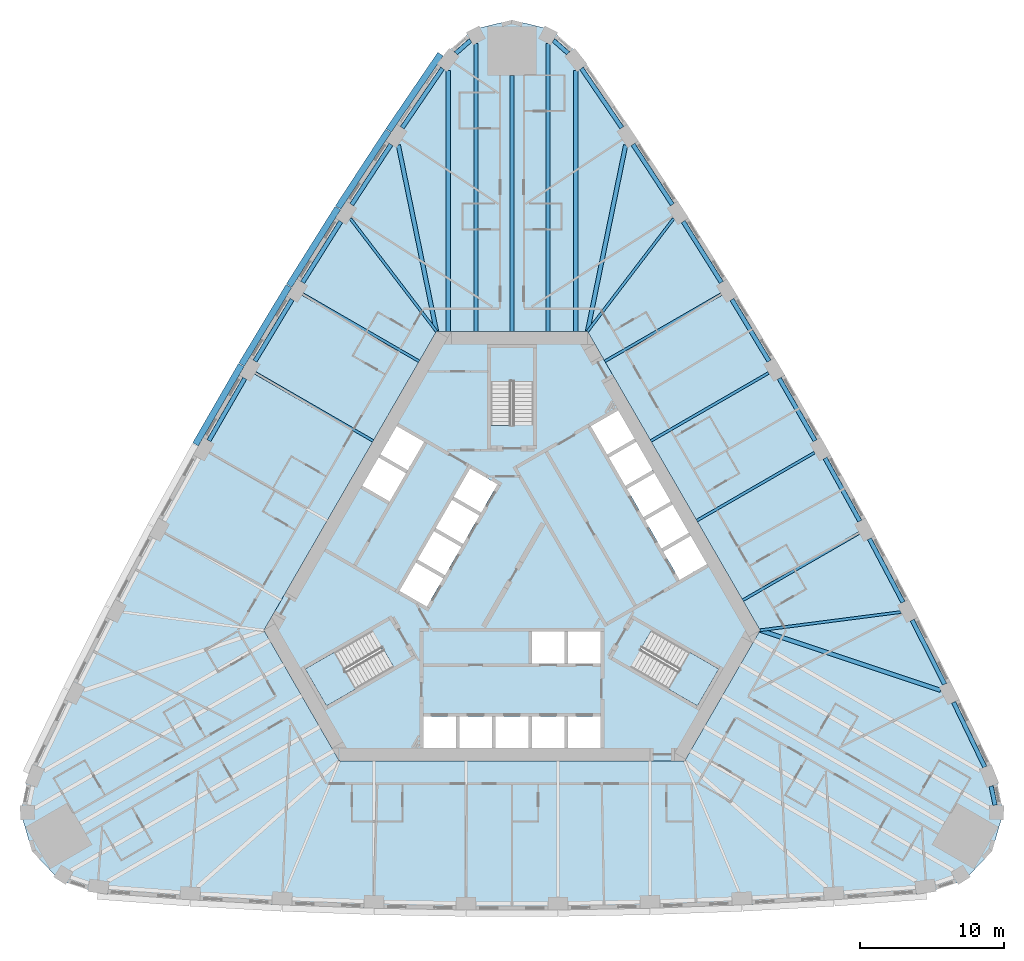
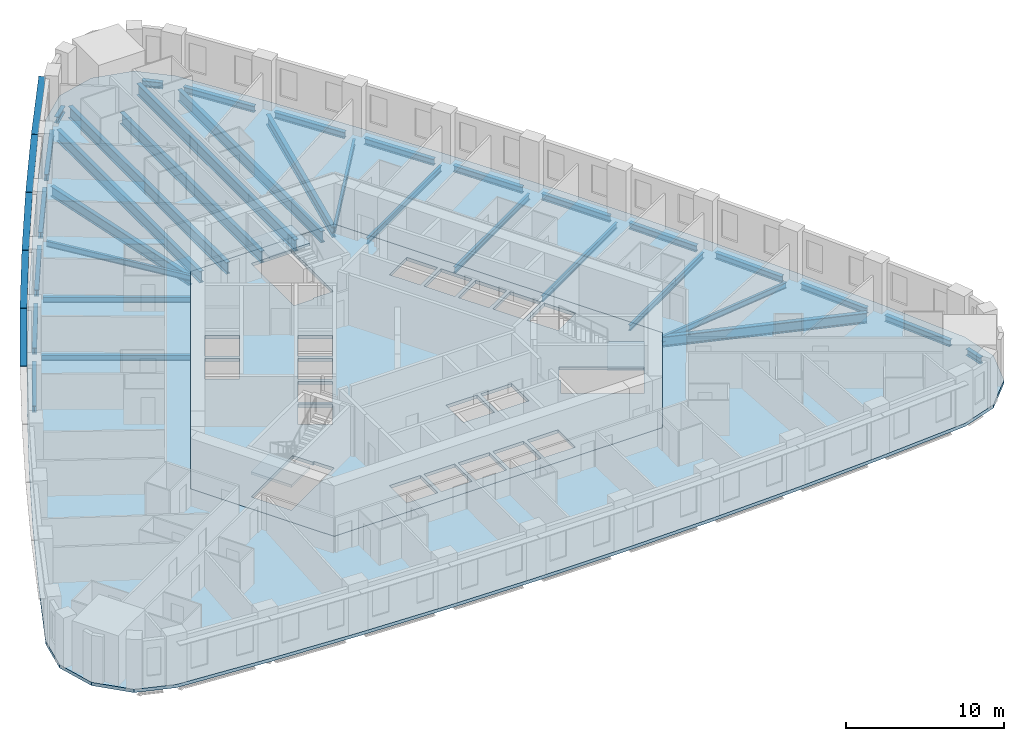
# One storey, part 2 of 13: 34 beams, 5 members, 5 slabs, 3 elements without a shape of their own.
"""IFC4 building model written with IfcOpenShell, lengths in metres."""

from ifc_helpers import new_model, si_unit, direction, frame, origin, origin_2d, place, context, subcontext, project, spatial, polyline, rectangle, i_section, outline, extrude, material, layer, layer_set, material_profile, profile_set, type_object, element, aggregate, save


model = new_model("IFC4")

# Units and contexts
model_context = context("Model", 3, precision=1e-05, world=origin(), true_north=direction((0.0, 1.0)))
body_context = subcontext(model_context, "Body", "Model", "MODEL_VIEW")
ifc_project = project(units=[si_unit("LENGTHUNIT", "METRE"), si_unit("AREAUNIT", "SQUARE_METRE"), si_unit("VOLUMEUNIT", "CUBIC_METRE"), si_unit("PLANEANGLEUNIT", "RADIAN"), si_unit("MASSUNIT", "GRAM", prefix="KILO")], contexts=[model_context])

# Site, building, storey
site_placement = place(None, origin())
site = spatial("IfcSite", under=ifc_project, at=site_placement, CompositionType="ELEMENT")
building_placement = place(site_placement, origin())
building = spatial("IfcBuilding", under=site, at=building_placement, Name="Mestral Congress Tower", CompositionType="ELEMENT")
storey_placement = place(building_placement, frame((0.0, 0.0, 35.39990234375)))
storey = spatial("IfcBuildingStorey", under=building, at=storey_placement, Name="L07", CompositionType="ELEMENT", Elevation=35.39990234375)

# Members
ifc_material_1 = material(Name="Glazed ceramic", Category="masonry")
ifc_material_profile_1 = material_profile(ifc_material_1, rectangle(XDim=0.449951171875, YDim=0.06005859375, at=origin_2d()), Name="Ceramic blade 450 x 60")
ifc_profile_set_1 = profile_set([ifc_material_profile_1], Name="Glazed ceramic")
member_type = type_object("IfcMemberType", Name="Facade sunshade blade 450 x 60", PredefinedType="USERDEFINED", material=ifc_profile_set_1)
member_1_placement = place(storey_placement, frame((-4.973388671875, 36.188232421875, 3.280029296875), z_axis=(-0.562633427576, -0.826706493367, 0.0), x_axis=(0.826706493367, -0.562633427576, 0.0)))
element("IfcMember", 1, at=member_1_placement, inside=storey, type_object=member_type, Name="Sunshade F2-00", ObjectType="SUNSHADE", PredefinedType="USERDEFINED", context=body_context, shape_type="SweptSolid", body=[
    extrude(rectangle(XDim=0.449951171875, YDim=0.06005859375, at=origin_2d()), origin(), (0.0, 0.0, 1.0), 6.4208984375),
])
member_2_placement = place(storey_placement, frame((-8.6103515625, 30.843505859375, 3.280029296875), z_axis=(-0.547211145376, -0.836994601163, 0.0), x_axis=(0.836994601163, -0.547211145376, 0.0)))
element("IfcMember", 2, at=member_2_placement, inside=storey, type_object=member_type, Name="Sunshade F2-01", ObjectType="SUNSHADE", PredefinedType="USERDEFINED", context=body_context, shape_type="SweptSolid", body=[
    extrude(rectangle(XDim=0.449951171875, YDim=0.06005859375, at=origin_2d()), origin(), (0.0, 0.0, 1.0), 6.368408203125),
])
for number, where, z_axis, x_axis, name in (
    (3, (-12.119140625, 25.47607421875, 3.280029296875), (-0.531665815747, -0.846954225662, 0.0), (0.846954225662, -0.531665815747, 0.0), "Sunshade F2-02"),
    (4, (-15.528076171875, 20.044921875, 3.280029296875), (-0.515904518528, -0.856646092481, 0.0), (0.856646092481, -0.515904518528, 0.0), "Sunshade F2-03"),
):
    element("IfcMember", number, at=place(storey_placement, frame(where, z_axis=z_axis, x_axis=x_axis)), inside=storey, type_object=member_type, Name=name, ObjectType="SUNSHADE", PredefinedType="USERDEFINED", context=body_context, shape_type="SweptSolid", body=[
        extrude(rectangle(XDim=0.449951171875, YDim=0.06005859375, at=origin_2d()), origin(), (0.0, 0.0, 1.0), 6.3681640625),
    ])
member_3_placement = place(storey_placement, frame((-18.8359375, 14.5517578125, 3.280029296875), z_axis=(-0.499990149842, -0.866031090701, 0.0), x_axis=(0.866031090701, -0.499990149842, 0.0)))
element("IfcMember", 5, at=member_3_placement, inside=storey, type_object=member_type, Name="Sunshade F2-04", ObjectType="SUNSHADE", PredefinedType="USERDEFINED", context=body_context, shape_type="SweptSolid", body=[
    extrude(rectangle(XDim=0.449951171875, YDim=0.06005859375, at=origin_2d()), origin(), (0.0, 0.0, 1.0), 6.368408203125),
])

# Beams
ifc_material_2 = material(Name="Steel S355", Category="steel")
ifc_material_profile_2 = material_profile(ifc_material_2, i_section(OverallWidth=0.300048828125, OverallDepth=0.800048828125, WebThickness=0.017578125, FlangeThickness=0.032958984375, FilletRadius=0.030029296875, at=origin_2d()), Name="HEB 800")
ifc_profile_set_2 = profile_set([ifc_material_profile_2], Name="Steel S355")
beam_type_1 = type_object("IfcBeamType", Name="Floor beam HEB 800 S355", PredefinedType="BEAM", material=ifc_profile_set_2)
for number, where, z_axis, x_axis, name in (
    (6, (29.8203125, -8.08349609375, -0.64990234375), (-0.948734931285, 0.316072824141, 0.0), (-0.316072824141, -0.948734931285, 0.0), "BM-L07-RB1-E01"),
    (7, (7.90966796875, 29.86669921875, -0.64990234375), (-0.200647311614, -0.979663542418, 0.0), (0.979663542418, -0.200647311614, 0.0), "BM-L07-RB1-E08"),
    (8, (-7.90966796875, 29.86669921875, -0.64990234375), (0.200647311614, -0.979663542418, 0.0), (0.979663542418, 0.200647311614, 0.0), "BM-L07-RB1-W01"),
):
    element("IfcBeam", number, at=place(storey_placement, frame(where, z_axis=z_axis, x_axis=x_axis)), inside=storey, type_object=beam_type_1, Name=name, PredefinedType="BEAM", context=body_context, shape_type="SweptSolid", body=[
        extrude(i_section(OverallWidth=0.300048828125, OverallDepth=0.800048828125, WebThickness=0.017578125, FlangeThickness=0.032958984375, FilletRadius=0.030029296875, at=origin_2d()), origin(), (0.0, 0.0, 1.0), 13.236083984375),
    ])
ifc_material_profile_3 = material_profile(ifc_material_2, i_section(OverallWidth=0.300048828125, OverallDepth=0.89990234375, WebThickness=0.0185546875, FlangeThickness=0.034912109375, FilletRadius=0.030029296875, at=origin_2d()), Name="HEB 900")
ifc_profile_set_3 = profile_set([ifc_material_profile_3], Name="Steel S355")
beam_type_2 = type_object("IfcBeamType", Name="Floor beam HEB 900 S355", PredefinedType="BEAM", material=ifc_profile_set_3)
beam_1_placement = place(storey_placement, frame((4.43603515625, 35.052734375, -0.699951171875), z_axis=(0.0, -1.0, 0.0), x_axis=(1.0, 0.0, 0.0)))
element("IfcBeam", 9, at=beam_1_placement, inside=storey, type_object=beam_type_2, Name="BM-L07-RB1-E09", PredefinedType="BEAM", context=body_context, shape_type="SweptSolid", body=[
    extrude(i_section(OverallWidth=0.300048828125, OverallDepth=0.89990234375, WebThickness=0.0185546875, FlangeThickness=0.034912109375, FilletRadius=0.030029296875, at=origin_2d()), origin(), (0.0, 0.0, 1.0), 18.15283203125),
])
beam_2_placement = place(storey_placement, frame((2.503173828125, 36.91943359375, -0.699951171875), z_axis=(0.0, -1.0, 0.0), x_axis=(1.0, 0.0, 0.0)))
element("IfcBeam", 10, at=beam_2_placement, inside=storey, type_object=beam_type_2, Name="BM-L07-RB1-N1", PredefinedType="BEAM", context=body_context, shape_type="SweptSolid", body=[
    extrude(i_section(OverallWidth=0.300048828125, OverallDepth=0.89990234375, WebThickness=0.0185546875, FlangeThickness=0.034912109375, FilletRadius=0.030029296875, at=origin_2d()), origin(), (0.0, 0.0, 1.0), 20.01953125),
])
beam_3_placement = place(storey_placement, frame((0.0, 34.698974609375, -0.699951171875), z_axis=(0.0, -1.0, 0.0), x_axis=(1.0, 0.0, 0.0)))
element("IfcBeam", 11, at=beam_3_placement, inside=storey, type_object=beam_type_2, Name="BM-L07-RB1-N", PredefinedType="BEAM", context=body_context, shape_type="SweptSolid", body=[
    extrude(i_section(OverallWidth=0.300048828125, OverallDepth=0.89990234375, WebThickness=0.0185546875, FlangeThickness=0.034912109375, FilletRadius=0.030029296875, at=origin_2d()), origin(), (0.0, 0.0, 1.0), 17.799072265625),
])
beam_4_placement = place(storey_placement, frame((-2.503173828125, 36.91943359375, -0.699951171875), z_axis=(0.0, -1.0, 0.0), x_axis=(1.0, 0.0, 0.0)))
element("IfcBeam", 12, at=beam_4_placement, inside=storey, type_object=beam_type_2, Name="BM-L07-RB1-N3", PredefinedType="BEAM", context=body_context, shape_type="SweptSolid", body=[
    extrude(i_section(OverallWidth=0.300048828125, OverallDepth=0.89990234375, WebThickness=0.0185546875, FlangeThickness=0.034912109375, FilletRadius=0.030029296875, at=origin_2d()), origin(), (0.0, 0.0, 1.0), 20.01953125),
])
beam_5_placement = place(storey_placement, frame((-4.43603515625, 35.052734375, -0.699951171875), z_axis=(0.0, -1.0, 0.0), x_axis=(1.0, 0.0, 0.0)))
element("IfcBeam", 13, at=beam_5_placement, inside=storey, type_object=beam_type_2, Name="BM-L07-RB1-W00", PredefinedType="BEAM", context=body_context, shape_type="SweptSolid", body=[
    extrude(i_section(OverallWidth=0.300048828125, OverallDepth=0.89990234375, WebThickness=0.0185546875, FlangeThickness=0.034912109375, FilletRadius=0.030029296875, at=origin_2d()), origin(), (0.0, 0.0, 1.0), 18.15283203125),
])
ifc_material_profile_4 = material_profile(ifc_material_2, i_section(OverallWidth=0.18994140625, OverallDepth=0.449951171875, WebThickness=0.009521484375, FlangeThickness=0.0146484375, FilletRadius=0.02099609375, at=origin_2d()), Name="IPE 450")
ifc_profile_set_4 = profile_set([ifc_material_profile_4], Name="Steel S355")
beam_type_3 = type_object("IfcBeamType", Name="Floor beam IPE 450 S355", PredefinedType="BEAM", material=ifc_profile_set_4)
beam_6_placement = place(storey_placement, frame((27.058349609375, -2.6337890625, -0.474853515625), z_axis=(-0.99175011495, -0.128186229747, 0.0), x_axis=(0.128186229747, -0.99175011495, 0.0)))
element("IfcBeam", 14, at=beam_6_placement, inside=storey, type_object=beam_type_3, Name="BM-L07-RB1-E02", PredefinedType="BEAM", context=body_context, shape_type="SweptSolid", body=[
    extrude(i_section(OverallWidth=0.18994140625, OverallDepth=0.449951171875, WebThickness=0.009521484375, FlangeThickness=0.0146484375, FilletRadius=0.02099609375, at=origin_2d()), origin(), (0.0, 0.0, 1.0), 9.877197265625),
])
beam_7_placement = place(storey_placement, frame((24.150634765625, 2.859619140625, -0.474853515625), z_axis=(-0.866032011123, -0.499988555579, 0.0), x_axis=(0.499988555579, -0.866032011123, 0.0)))
element("IfcBeam", 15, at=beam_7_placement, inside=storey, type_object=beam_type_3, Name="BM-L07-RB1-E03", PredefinedType="BEAM", context=body_context, shape_type="SweptSolid", body=[
    extrude(i_section(OverallWidth=0.18994140625, OverallDepth=0.449951171875, WebThickness=0.009521484375, FlangeThickness=0.0146484375, FilletRadius=0.02099609375, at=origin_2d()), origin(), (0.0, 0.0, 1.0), 9.344970703125),
])
for number, where, z_axis, x_axis, name in (
    (16, (21.0537109375, 8.46044921875, -0.474853515625), (-0.866019749231, -0.500009793847, 0.0), (0.500009793847, -0.866019749231, 0.0), "BM-L07-RB1-E04"),
    (17, (17.853759765625, 14.0029296875, -0.474853515625), (-0.866019749231, -0.500009793847, 0.0), (0.500009793847, -0.866019749231, 0.0), "BM-L07-RB1-E05"),
):
    element("IfcBeam", number, at=place(storey_placement, frame(where, z_axis=z_axis, x_axis=x_axis)), inside=storey, type_object=beam_type_3, Name=name, PredefinedType="BEAM", context=body_context, shape_type="SweptSolid", body=[
        extrude(i_section(OverallWidth=0.18994140625, OverallDepth=0.449951171875, WebThickness=0.009521484375, FlangeThickness=0.0146484375, FilletRadius=0.02099609375, at=origin_2d()), origin(), (0.0, 0.0, 1.0), 9.463134765625),
    ])
beam_8_placement = place(storey_placement, frame((14.5517578125, 19.485107421875, -0.474853515625), z_axis=(-0.866025479842, -0.499999868264, 0.0), x_axis=(0.499999868264, -0.866025479842, 0.0)))
element("IfcBeam", 18, at=beam_8_placement, inside=storey, type_object=beam_type_3, Name="BM-L07-RB1-E06", PredefinedType="BEAM", context=body_context, shape_type="SweptSolid", body=[
    extrude(i_section(OverallWidth=0.18994140625, OverallDepth=0.449951171875, WebThickness=0.009521484375, FlangeThickness=0.0146484375, FilletRadius=0.02099609375, at=origin_2d()), origin(), (0.0, 0.0, 1.0), 9.3447265625),
])
for number, where, z_axis, x_axis, name in (
    (19, (11.248291015625, 24.75, -0.474853515625), (-0.606898557801, -0.794779303039, 0.0), (0.794779303039, -0.606898557801, 0.0), "BM-L07-RB1-E07"),
    (20, (-11.248291015625, 24.75, -0.474853515625), (0.606898557801, -0.794779303039, 0.0), (0.794779303039, 0.606898557801, 0.0), "BM-L07-RB1-W02"),
):
    element("IfcBeam", number, at=place(storey_placement, frame(where, z_axis=z_axis, x_axis=x_axis)), inside=storey, type_object=beam_type_3, Name=name, PredefinedType="BEAM", context=body_context, shape_type="SweptSolid", body=[
        extrude(i_section(OverallWidth=0.18994140625, OverallDepth=0.449951171875, WebThickness=0.009521484375, FlangeThickness=0.0146484375, FilletRadius=0.02099609375, at=origin_2d()), origin(), (0.0, 0.0, 1.0), 9.877197265625),
    ])
beam_9_placement = place(storey_placement, frame((-14.5517578125, 19.485107421875, -0.474853515625), z_axis=(0.866025479842, -0.499999868264, 0.0), x_axis=(0.499999868264, 0.866025479842, 0.0)))
element("IfcBeam", 21, at=beam_9_placement, inside=storey, type_object=beam_type_3, Name="BM-L07-RB1-W03", PredefinedType="BEAM", context=body_context, shape_type="SweptSolid", body=[
    extrude(i_section(OverallWidth=0.18994140625, OverallDepth=0.449951171875, WebThickness=0.009521484375, FlangeThickness=0.0146484375, FilletRadius=0.02099609375, at=origin_2d()), origin(), (0.0, 0.0, 1.0), 9.3447265625),
])
beam_10_placement = place(storey_placement, frame((-17.853759765625, 14.0029296875, -0.474853515625), z_axis=(0.866019749231, -0.500009793847, 0.0), x_axis=(0.500009793847, 0.866019749231, 0.0)))
element("IfcBeam", 22, at=beam_10_placement, inside=storey, type_object=beam_type_3, Name="BM-L07-RB1-W04", PredefinedType="BEAM", context=body_context, shape_type="SweptSolid", body=[
    extrude(i_section(OverallWidth=0.18994140625, OverallDepth=0.449951171875, WebThickness=0.009521484375, FlangeThickness=0.0146484375, FilletRadius=0.02099609375, at=origin_2d()), origin(), (0.0, 0.0, 1.0), 9.463134765625),
])
ifc_material_profile_5 = material_profile(ifc_material_2, i_section(OverallWidth=0.300048828125, OverallDepth=0.489990234375, WebThickness=0.011962890625, FlangeThickness=0.02294921875, FilletRadius=0.027099609375, at=origin_2d()), Name="HEA 500")
ifc_profile_set_5 = profile_set([ifc_material_profile_5], Name="Steel S355")
beam_type_4 = type_object("IfcBeamType", Name="Spandrel beam HEA 500 S355", PredefinedType="BEAM", material=ifc_profile_set_5)
beam_11_placement = place(storey_placement, frame((33.611328125, -16.0693359375, -0.494873046875), z_axis=(-0.197991750859, 0.980203686277, 0.0), x_axis=(-0.980203686277, -0.197991750859, 0.0)))
element("IfcBeam", 23, at=beam_11_placement, inside=storey, type_object=beam_type_4, Name="SP-L07-SB1-SE3", PredefinedType="BEAM", context=body_context, shape_type="SweptSolid", body=[
    extrude(i_section(OverallWidth=0.300048828125, OverallDepth=0.489990234375, WebThickness=0.011962890625, FlangeThickness=0.02294921875, FilletRadius=0.027099609375, at=origin_2d()), origin(), (0.0, 0.0, 1.0), 1.3515625),
])
beam_12_placement = place(storey_placement, frame((32.897705078125, -13.415283203125, -0.494873046875), z_axis=(-0.434645244295, 0.900601749727, 0.0), x_axis=(-0.900601749727, -0.434645244295, 0.0)))
element("IfcBeam", 24, at=beam_12_placement, inside=storey, type_object=beam_type_4, Name="SP-L07-SB1-E00", PredefinedType="BEAM", context=body_context, shape_type="SweptSolid", body=[
    extrude(i_section(OverallWidth=0.300048828125, OverallDepth=0.489990234375, WebThickness=0.011962890625, FlangeThickness=0.02294921875, FilletRadius=0.027099609375, at=origin_2d()), origin(), (0.0, 0.0, 1.0), 4.998046875),
])
beam_13_placement = place(storey_placement, frame((30.105224609375, -7.658935546875, -0.494873046875), z_axis=(-0.45123261425, 0.892406369227, 0.0), x_axis=(-0.892406369227, -0.45123261425, 0.0)))
element("IfcBeam", 25, at=beam_13_placement, inside=storey, type_object=beam_type_4, Name="SP-L07-SB1-E01", PredefinedType="BEAM", context=body_context, shape_type="SweptSolid", body=[
    extrude(i_section(OverallWidth=0.300048828125, OverallDepth=0.489990234375, WebThickness=0.011962890625, FlangeThickness=0.02294921875, FilletRadius=0.027099609375, at=origin_2d()), origin(), (0.0, 0.0, 1.0), 4.999755859375),
])
beam_14_placement = place(storey_placement, frame((27.2060546875, -1.95361328125, -0.494873046875), z_axis=(-0.467681307417, 0.883897162962, 0.0), x_axis=(-0.883897162962, -0.467681307417, 0.0)))
element("IfcBeam", 26, at=beam_14_placement, inside=storey, type_object=beam_type_4, Name="SP-L07-SB1-E02", PredefinedType="BEAM", context=body_context, shape_type="SweptSolid", body=[
    extrude(i_section(OverallWidth=0.300048828125, OverallDepth=0.489990234375, WebThickness=0.011962890625, FlangeThickness=0.02294921875, FilletRadius=0.027099609375, at=origin_2d()), origin(), (0.0, 0.0, 1.0), 5.0),
])
for number, where, z_axis, x_axis, name in (
    (27, (24.20166015625, 3.697265625, -0.494873046875), (-0.483900688062, 0.875122919419, 0.0), (-0.875122919419, -0.483900688062, 0.0), "SP-L07-SB1-E03"),
    (28, (21.093505859375, 9.291748046875, -0.494873046875), (-0.50002537861, 0.866010750942, 0.0), (-0.866010750942, -0.50002537861, 0.0), "SP-L07-SB1-E04"),
    (29, (17.88232421875, 14.82763671875, -0.494873046875), (-0.515938385622, 0.85662569553, 0.0), (-0.85662569553, -0.515938385622, 0.0), "SP-L07-SB1-E05"),
    (30, (14.5693359375, 20.302978515625, -0.494873046875), (-0.531661433361, 0.846956976639, 0.0), (-0.846956976639, -0.531661433361, 0.0), "SP-L07-SB1-E06"),
):
    element("IfcBeam", number, at=place(storey_placement, frame(where, z_axis=z_axis, x_axis=x_axis)), inside=storey, type_object=beam_type_4, Name=name, PredefinedType="BEAM", context=body_context, shape_type="SweptSolid", body=[
        extrude(i_section(OverallWidth=0.300048828125, OverallDepth=0.489990234375, WebThickness=0.011962890625, FlangeThickness=0.02294921875, FilletRadius=0.027099609375, at=origin_2d()), origin(), (0.0, 0.0, 1.0), 4.999755859375),
    ])
beam_15_placement = place(storey_placement, frame((11.156005859375, 25.716552734375, -0.494873046875), z_axis=(-0.547263834194, 0.836960151849, 0.0), x_axis=(-0.836960151849, -0.547263834194, 0.0)))
element("IfcBeam", 31, at=beam_15_placement, inside=storey, type_object=beam_type_4, Name="SP-L07-SB1-E07", PredefinedType="BEAM", context=body_context, shape_type="SweptSolid", body=[
    extrude(i_section(OverallWidth=0.300048828125, OverallDepth=0.489990234375, WebThickness=0.011962890625, FlangeThickness=0.02294921875, FilletRadius=0.027099609375, at=origin_2d()), origin(), (0.0, 0.0, 1.0), 5.0),
])
beam_16_placement = place(storey_placement, frame((7.642822265625, 31.06591796875, -0.494873046875), z_axis=(-0.562610596841, 0.826722030868, 0.0), x_axis=(-0.826722030868, -0.562610596841, 0.0)))
element("IfcBeam", 32, at=beam_16_placement, inside=storey, type_object=beam_type_4, Name="SP-L07-SB1-E08", PredefinedType="BEAM", context=body_context, shape_type="SweptSolid", body=[
    extrude(i_section(OverallWidth=0.300048828125, OverallDepth=0.489990234375, WebThickness=0.011962890625, FlangeThickness=0.02294921875, FilletRadius=0.027099609375, at=origin_2d()), origin(), (0.0, 0.0, 1.0), 4.998046875),
])
for number, where, z_axis, x_axis, name in (
    (33, (3.902587890625, 36.248779296875, -0.494873046875), (-0.749806226219, 0.661657481725, 0.0), (-0.661657481725, -0.749806226219, 0.0), "SP-L07-SB1-E09"),
    (34, (-2.88916015625, 37.14306640625, -0.494873046875), (-0.749806226219, -0.661657481725, 0.0), (0.661657481725, -0.749806226219, 0.0), "SP-L07-SB1-N3"),
):
    element("IfcBeam", number, at=place(storey_placement, frame(where, z_axis=z_axis, x_axis=x_axis)), inside=storey, type_object=beam_type_4, Name=name, PredefinedType="BEAM", context=body_context, shape_type="SweptSolid", body=[
        extrude(i_section(OverallWidth=0.300048828125, OverallDepth=0.489990234375, WebThickness=0.011962890625, FlangeThickness=0.02294921875, FilletRadius=0.027099609375, at=origin_2d()), origin(), (0.0, 0.0, 1.0), 1.3515625),
    ])
beam_17_placement = place(storey_placement, frame((-4.830810546875, 35.197998046875, -0.494873046875), z_axis=(-0.562610596841, -0.826722030868, 0.0), x_axis=(0.826722030868, -0.562610596841, 0.0)))
element("IfcBeam", 35, at=beam_17_placement, inside=storey, type_object=beam_type_4, Name="SP-L07-SB1-W00", PredefinedType="BEAM", context=body_context, shape_type="SweptSolid", body=[
    extrude(i_section(OverallWidth=0.300048828125, OverallDepth=0.489990234375, WebThickness=0.011962890625, FlangeThickness=0.02294921875, FilletRadius=0.027099609375, at=origin_2d()), origin(), (0.0, 0.0, 1.0), 4.998046875),
])
beam_18_placement = place(storey_placement, frame((-8.419677734375, 29.9013671875, -0.494873046875), z_axis=(-0.547263834194, -0.836960151849, 0.0), x_axis=(0.836960151849, -0.547263834194, 0.0)))
element("IfcBeam", 36, at=beam_18_placement, inside=storey, type_object=beam_type_4, Name="SP-L07-SB1-W01", PredefinedType="BEAM", context=body_context, shape_type="SweptSolid", body=[
    extrude(i_section(OverallWidth=0.300048828125, OverallDepth=0.489990234375, WebThickness=0.011962890625, FlangeThickness=0.02294921875, FilletRadius=0.027099609375, at=origin_2d()), origin(), (0.0, 0.0, 1.0), 5.0),
])
for number, where, z_axis, x_axis, name in (
    (37, (-11.9111328125, 24.53759765625, -0.494873046875), (-0.531661433361, -0.846956976639, 0.0), (0.846956976639, -0.531661433361, 0.0), "SP-L07-SB1-W02"),
    (38, (-15.302734375, 19.110595703125, -0.494873046875), (-0.515938385622, -0.85662569553, 0.0), (0.85662569553, -0.515938385622, 0.0), "SP-L07-SB1-W03"),
    (39, (-18.593505859375, 13.62158203125, -0.494873046875), (-0.50002537861, -0.866010750942, 0.0), (0.866010750942, -0.50002537861, 0.0), "SP-L07-SB1-W04"),
):
    element("IfcBeam", number, at=place(storey_placement, frame(where, z_axis=z_axis, x_axis=x_axis)), inside=storey, type_object=beam_type_4, Name=name, PredefinedType="BEAM", context=body_context, shape_type="SweptSolid", body=[
        extrude(i_section(OverallWidth=0.300048828125, OverallDepth=0.489990234375, WebThickness=0.011962890625, FlangeThickness=0.02294921875, FilletRadius=0.027099609375, at=origin_2d()), origin(), (0.0, 0.0, 1.0), 4.999755859375),
    ])

# Slabs
ifc_material_3 = material(Name="Concrete C35/45", Category="concrete")
ifc_layer_1 = layer(ifc_material_3, 0.25)
ifc_layer_set_1 = layer_set([ifc_layer_1], Name="Concrete C35/45")
slab_type_1 = type_object("IfcSlabType", Name="Composite floor slab 250", PredefinedType="FLOOR", material=ifc_layer_set_1)
placement_1 = place(storey_placement, frame((0.0, 0.0, -0.25)))
element("IfcSlab", 40, at=placement_1, inside=storey, type_object=slab_type_1, Name="SL-L07", PredefinedType="FLOOR", context=body_context, shape_type="SweptSolid", body=[
    extrude(outline(polyline([(-28.8564453125, -22.17529296875), (-31.45849609375, -21.301025390625), (-33.39599609375, -19.28125), (-34.176513671875, -16.59326171875), (-33.6328125, -13.90283203125), (-30.824462890625, -8.084228515625), (-27.93310546875, -2.365478515625), (-24.936279296875, 3.298828125), (-21.835205078125, 8.90673828125), (-18.631103515625, 14.45654296875), (-15.324951171875, 19.946044921875), (-11.91796875, 25.373291015625), (-8.4111328125, 30.737060546875), (-4.776123046875, 36.078125), (-2.718017578125, 37.894287109375), (0.0, 38.562255859375), (2.718017578125, 37.894287109375), (4.776123046875, 36.078125), (8.4111328125, 30.737060546875), (11.91796875, 25.373291015625), (15.324951171875, 19.946044921875), (18.631103515625, 14.45654296875), (21.835205078125, 8.90673828125), (24.936279296875, 3.298828125), (27.93310546875, -2.365478515625), (30.824462890625, -8.084228515625), (33.6328125, -13.90283203125), (34.176513671875, -16.59326171875), (33.39599609375, -19.28125), (31.45849609375, -21.301025390625), (28.8564453125, -22.17529296875), (22.41357421875, -22.652587890625), (16.01513671875, -23.0078125), (9.611083984375, -23.244873046875), (3.2041015625, -23.36328125), (-3.2041015625, -23.36328125), (-9.611083984375, -23.244873046875), (-16.01513671875, -23.0078125), (-22.41357421875, -22.652587890625), (-28.8564453125, -22.17529296875)]), holes=[polyline([(-5.25390625, 16.89990234375), (-17.2626953125, -3.89990234375), (-12.0087890625, -13.0), (12.0087890625, -13.0), (17.2626953125, -3.89990234375), (5.25390625, 16.89990234375), (-5.25390625, 16.89990234375)])]), origin(), (0.0, 0.0, 1.0), 0.25),
])
ifc_material_4 = material(Name="Concrete C60/75", Category="concrete")
ifc_layer_2 = layer(ifc_material_4, 0.25)
ifc_layer_set_2 = layer_set([ifc_layer_2], Name="Concrete C60/75")
slab_type_2 = type_object("IfcSlabType", Name="Core floor slab RC 250", PredefinedType="FLOOR", material=ifc_layer_set_2)
element("IfcSlab", 41, at=placement_1, inside=storey, type_object=slab_type_2, Name="L07 core floor", PredefinedType="FLOOR", context=body_context, shape_type="SweptSolid", body=[
    extrude(outline(polyline([(12.0087890625, -13.0), (-12.0087890625, -13.0), (-17.2626953125, -3.89990234375), (-5.25390625, 16.89990234375), (5.25390625, 16.89990234375), (17.2626953125, -3.89990234375), (12.0087890625, -13.0)]), holes=[polyline([(-3.905029296875, -9.89990234375), (-6.175048828125, -9.89990234375), (-6.175048828125, -12.10009765625), (-3.905029296875, -12.10009765625), (-3.905029296875, -9.89990234375)]), polyline([(-1.385009765625, -9.89990234375), (-3.655029296875, -9.89990234375), (-3.655029296875, -12.10009765625), (-1.385009765625, -12.10009765625), (-1.385009765625, -9.89990234375)]), polyline([(1.135009765625, -9.89990234375), (-1.135009765625, -9.89990234375), (-1.135009765625, -12.10009765625), (1.135009765625, -12.10009765625), (1.135009765625, -9.89990234375)]), polyline([(-9.0673828125, -5.235107421875), (-9.8046875, -3.95751953125), (-14.37744140625, -6.59765625), (-12.90234375, -9.15234375), (-8.234619140625, -6.45751953125), (-8.971923828125, -5.179931640625), (-9.0673828125, -5.235107421875)]), polyline([(-7.826904296875, -1.156494140625), (-5.921630859375, -2.256591796875), (-4.78662109375, -0.29052734375), (-6.69189453125, 0.809326171875), (-7.826904296875, -1.156494140625)]), polyline([(-4.66162109375, -0.07421875), (-3.526611328125, 1.8916015625), (-5.431884765625, 2.99169921875), (-6.56689453125, 1.02587890625), (-4.66162109375, -0.07421875)]), polyline([(-3.401611328125, 2.1083984375), (-2.2666015625, 4.07421875), (-4.171875, 5.174072265625), (-5.306884765625, 3.208251953125), (-3.401611328125, 2.1083984375)]), polyline([(-2.1416015625, 4.29052734375), (-1.006591796875, 6.256591796875), (-2.911865234375, 7.3564453125), (-4.046875, 5.390625), (-2.1416015625, 4.29052734375)]), polyline([(-10.41650390625, 6.158203125), (-8.51123046875, 5.058349609375), (-7.376220703125, 7.024169921875), (-9.281494140625, 8.1240234375), (-10.41650390625, 6.158203125)]), polyline([(-9.156494140625, 8.340576171875), (-7.251220703125, 7.240478515625), (-6.1162109375, 9.20654296875), (-8.021484375, 10.306396484375), (-9.156494140625, 8.340576171875)]), polyline([(1.47509765625, 10.469970703125), (1.47509765625, 15.75), (-1.47509765625, 15.75), (-1.47509765625, 10.360107421875), (0.0, 10.360107421875), (0.0, 10.469970703125), (1.47509765625, 10.469970703125)]), polyline([(3.655029296875, -9.89990234375), (1.385009765625, -9.89990234375), (1.385009765625, -12.10009765625), (3.655029296875, -12.10009765625), (3.655029296875, -9.89990234375)]), polyline([(6.175048828125, -9.89990234375), (3.905029296875, -9.89990234375), (3.905029296875, -12.10009765625), (6.175048828125, -12.10009765625), (6.175048828125, -9.89990234375)]), polyline([(9.0673828125, -5.235107421875), (8.329833984375, -6.512451171875), (12.90234375, -9.15234375), (14.37744140625, -6.59765625), (9.70947265625, -3.902587890625), (8.971923828125, -5.179931640625), (9.0673828125, -5.235107421875)]), polyline([(3.655029296875, -6.199951171875), (3.655029296875, -4.0), (1.385009765625, -4.0), (1.385009765625, -6.199951171875), (3.655029296875, -6.199951171875)]), polyline([(6.175048828125, -4.0), (3.905029296875, -4.0), (3.905029296875, -6.199951171875), (6.175048828125, -6.199951171875), (6.175048828125, -4.0)]), polyline([(12.431396484375, 2.668212890625), (10.526123046875, 1.568115234375), (11.6611328125, -0.397705078125), (13.56640625, 0.702392578125), (12.431396484375, 2.668212890625)]), polyline([(11.17138671875, 4.8505859375), (9.26611328125, 3.75048828125), (10.401123046875, 1.78466796875), (12.306396484375, 2.884765625), (11.17138671875, 4.8505859375)]), polyline([(8.006103515625, 5.932861328125), (9.14111328125, 3.967041015625), (11.04638671875, 5.067138671875), (9.911376953125, 7.032958984375), (8.006103515625, 5.932861328125)]), polyline([(8.6513671875, 9.21533203125), (6.74609375, 8.115234375), (7.881103515625, 6.1494140625), (9.786376953125, 7.24951171875), (8.6513671875, 9.21533203125)]), polyline([(7.391357421875, 11.397705078125), (5.486083984375, 10.297607421875), (6.62109375, 8.331787109375), (8.5263671875, 9.431884765625), (7.391357421875, 11.397705078125)])]), origin(), (0.0, 0.0, 1.0), 0.25),
])

# Stair, slab
stair_type = type_object("IfcStairType", Name="Exit stair 1400", PredefinedType="HALF_TURN_STAIR", material=ifc_material_4)
placement_2 = place(storey_placement, origin())
stair_1 = element("IfcStair", 42, at=placement_2, inside=storey, type_object=stair_type, Name="L07 ST1", PredefinedType="HALF_TURN_STAIR")
ifc_layer_3 = layer(ifc_material_4, 0.199951171875)
ifc_layer_set_3 = layer_set([ifc_layer_3], Name="Concrete C60/75")
slab_type_3 = type_object("IfcSlabType", Name="Exit stair landing 200", PredefinedType="LANDING", material=ifc_layer_set_3)
placement_3 = place(storey_placement, frame((0.0, 0.0, 1.75)))
slab_3 = element("IfcSlab", 43, at=placement_3, type_object=slab_type_3, Name="ST1 landing 1", PredefinedType="LANDING", context=body_context, shape_type="SweptSolid", body=[
    extrude(outline(polyline([(10.879638671875, -7.99609375), (12.364501953125, -5.424072265625), (14.39111328125, -6.593994140625), (12.906005859375, -9.166015625), (10.879638671875, -7.99609375)])), origin(), (0.0, 0.0, 1.0), 0.2001953125),
])
aggregate(stair_1, [slab_3])

stair_2 = element("IfcStair", 44, at=placement_2, inside=storey, type_object=stair_type, Name="L07 ST2", PredefinedType="HALF_TURN_STAIR")
slab_4 = element("IfcSlab", 45, at=placement_3, type_object=slab_type_3, Name="ST2 landing 1", PredefinedType="LANDING", context=body_context, shape_type="SweptSolid", body=[
    extrude(outline(polyline([(1.485107421875, 13.419921875), (-1.485107421875, 13.419921875), (-1.485107421875, 15.760009765625), (1.485107421875, 15.760009765625), (1.485107421875, 13.419921875)])), origin(), (0.0, 0.0, 1.0), 0.2001953125),
])
aggregate(stair_2, [slab_4])

stair_3 = element("IfcStair", 46, at=placement_2, inside=storey, type_object=stair_type, Name="L07 ST3", PredefinedType="HALF_TURN_STAIR")
slab_5 = element("IfcSlab", 47, at=placement_3, type_object=slab_type_3, Name="ST3 landing 1", PredefinedType="LANDING", context=body_context, shape_type="SweptSolid", body=[
    extrude(outline(polyline([(-12.364501953125, -5.424072265625), (-10.879638671875, -7.99609375), (-12.906005859375, -9.166015625), (-14.39111328125, -6.593994140625), (-12.364501953125, -5.424072265625)])), origin(), (0.0, 0.0, 1.0), 0.2001953125),
])
aggregate(stair_3, [slab_5])

save(model, "model.ifc")
